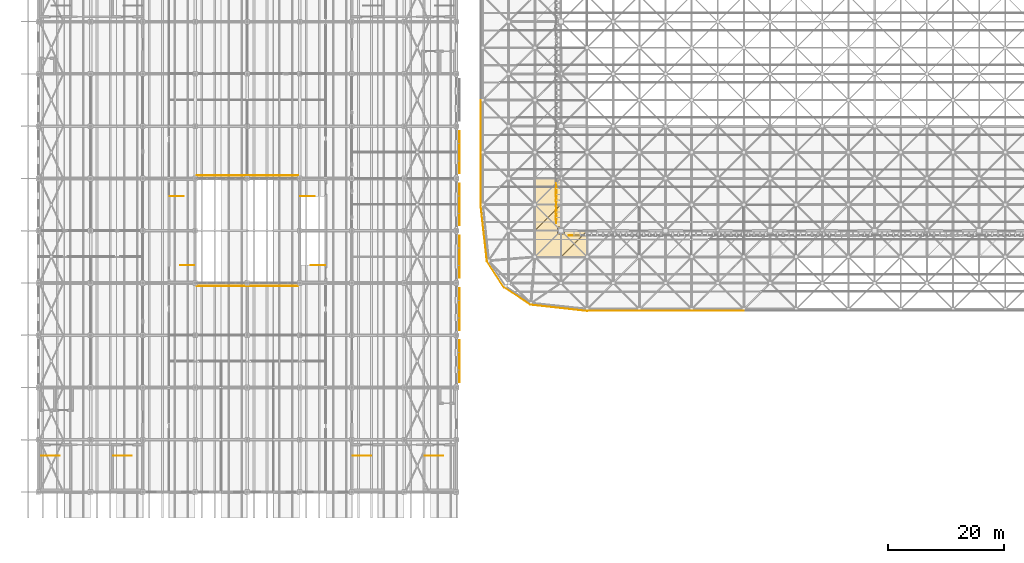
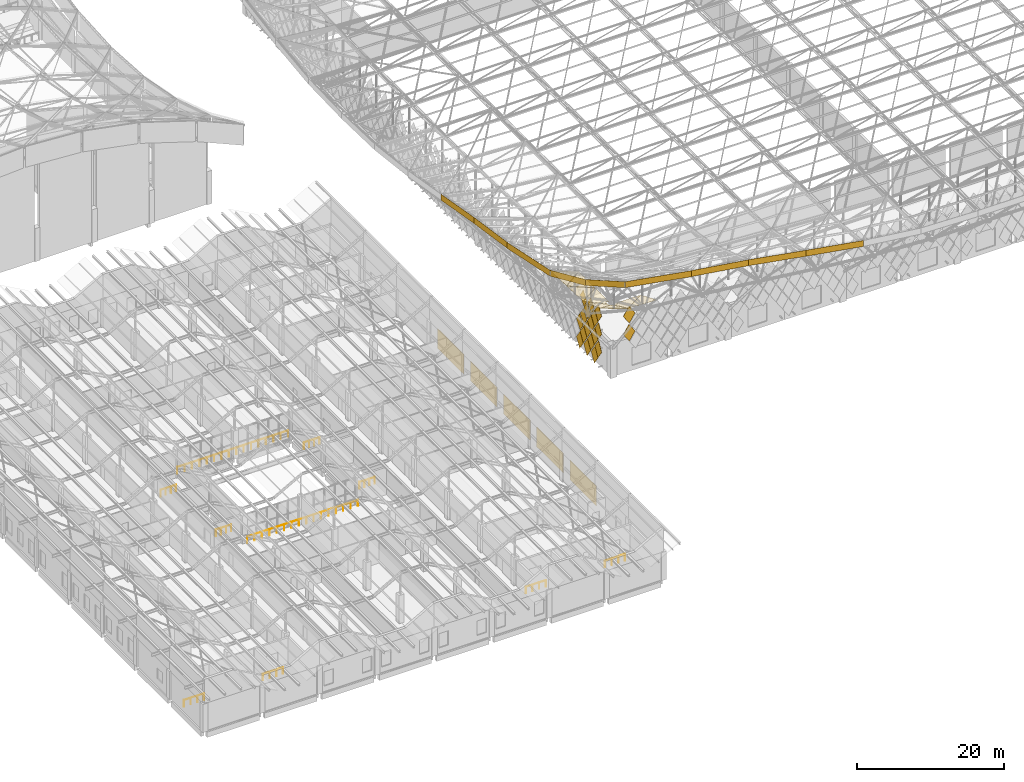
# One storey, part 406 of 437: 41 coverings, 10 railings.
"""IFC4 building model written with IfcOpenShell, lengths in metres."""

from ifc_helpers import new_model, si_unit, direction, frame, origin, origin_2d, place, context, subcontext, project, spatial, polyline, rectangle, circle, outline, extrude, material, layer, layer_set, constituent, constituent_set, material_profile, profile_set, type_object, element, save


model = new_model("IFC4")

# Units and contexts
model_context = context("Model", 3, precision=1e-05, world=origin(), true_north=direction((0.0, 1.0)))
body_context = subcontext(model_context, "Body", "Model", "MODEL_VIEW")
ifc_project = project(units=[si_unit("LENGTHUNIT", "METRE"), si_unit("AREAUNIT", "SQUARE_METRE"), si_unit("VOLUMEUNIT", "CUBIC_METRE"), si_unit("PLANEANGLEUNIT", "RADIAN"), si_unit("MASSUNIT", "GRAM", prefix="KILO")], contexts=[model_context])

# Site, building, storey
site_placement = place(None, origin())
site = spatial("IfcSite", under=ifc_project, at=site_placement, CompositionType="ELEMENT")
building_placement = place(site_placement, origin())
building = spatial("IfcBuilding", under=site, at=building_placement, Name="Opaline Strait Convention Centre", CompositionType="ELEMENT")
storey_placement = place(building_placement, frame((0.0, 0.0, 11.5)))
storey = spatial("IfcBuildingStorey", under=building, at=storey_placement, Name="L02", CompositionType="ELEMENT", Elevation=11.5)

# Railings
ifc_material_1 = material(Name="Steel Q235B", Category="steel")
ifc_constituent_1 = constituent(ifc_material_1, Name="Frame")
ifc_material_2 = material(Name="Safety glass, bonded interlayer", Category="glass")
ifc_constituent_2 = constituent(ifc_material_2, Name="Infill")
ifc_constituent_set_1 = constituent_set(constituents=[ifc_constituent_1, ifc_constituent_2], Name="Steel Q235B, Safety glass, bonded interlayer")
railing_type_1 = type_object("IfcRailingType", Name="Court guard 1100 Q235B and glass", PredefinedType="GUARDRAIL", material=ifc_constituent_set_1)
railing_1_placement = place(storey_placement, frame((36.300048828125, 44.5, 0.0)))
element("IfcRailing", 1, at=railing_1_placement, inside=storey, type_object=railing_type_1, Name="L02 court edge guard S", PredefinedType="GUARDRAIL", context=body_context, shape_type="SweptSolid", body=[
    extrude(circle(Radius=0.02392578125, at=origin_2d()), frame((0.0, 0.0, 1.076171875), z_axis=(1.0, 0.0, 0.0), x_axis=(0.0, 1.0, 0.0)), (0.0, 0.0, 1.0), 17.39990234375),
    extrude(circle(Radius=0.02099609375, at=origin_2d()), origin(), (0.0, 0.0, 1.0), 1.052001953125),
    extrude(circle(Radius=0.02099609375, at=origin_2d()), frame((1.159912109375, 0.0, 0.0)), (0.0, 0.0, 1.0), 1.052001953125),
    extrude(circle(Radius=0.02099609375, at=origin_2d()), frame((2.320068359375, 0.0, 0.0)), (0.0, 0.0, 1.0), 1.052001953125),
    extrude(circle(Radius=0.02099609375, at=origin_2d()), frame((3.47998046875, 0.0, 0.0)), (0.0, 0.0, 1.0), 1.052001953125),
    extrude(circle(Radius=0.02099609375, at=origin_2d()), frame((4.639892578125, 0.0, 0.0)), (0.0, 0.0, 1.0), 1.052001953125),
    extrude(circle(Radius=0.02099609375, at=origin_2d()), frame((5.800048828125, 0.0, 0.0)), (0.0, 0.0, 1.0), 1.052001953125),
    extrude(circle(Radius=0.02099609375, at=origin_2d()), frame((6.9599609375, 0.0, 0.0)), (0.0, 0.0, 1.0), 1.052001953125),
    extrude(circle(Radius=0.02099609375, at=origin_2d()), frame((8.119873046875, 0.0, 0.0)), (0.0, 0.0, 1.0), 1.052001953125),
    extrude(circle(Radius=0.02099609375, at=origin_2d()), frame((9.280029296875, 0.0, 0.0)), (0.0, 0.0, 1.0), 1.052001953125),
    extrude(circle(Radius=0.02099609375, at=origin_2d()), frame((10.43994140625, 0.0, 0.0)), (0.0, 0.0, 1.0), 1.052001953125),
    extrude(circle(Radius=0.02099609375, at=origin_2d()), frame((11.599853515625, 0.0, 0.0)), (0.0, 0.0, 1.0), 1.052001953125),
    extrude(circle(Radius=0.02099609375, at=origin_2d()), frame((12.760009765625, 0.0, 0.0)), (0.0, 0.0, 1.0), 1.052001953125),
    extrude(circle(Radius=0.02099609375, at=origin_2d()), frame((13.919921875, 0.0, 0.0)), (0.0, 0.0, 1.0), 1.052001953125),
    extrude(circle(Radius=0.02099609375, at=origin_2d()), frame((15.079833984375, 0.0, 0.0)), (0.0, 0.0, 1.0), 1.052001953125),
    extrude(circle(Radius=0.02099609375, at=origin_2d()), frame((16.239990234375, 0.0, 0.0)), (0.0, 0.0, 1.0), 1.052001953125),
    extrude(circle(Radius=0.02099609375, at=origin_2d()), frame((17.39990234375, 0.0, 0.0)), (0.0, 0.0, 1.0), 1.052001953125),
])
railing_2_placement = place(storey_placement, frame((36.300048828125, 63.5, 0.0)))
element("IfcRailing", 2, at=railing_2_placement, inside=storey, type_object=railing_type_1, Name="L02 court edge guard N", PredefinedType="GUARDRAIL", context=body_context, shape_type="SweptSolid", body=[
    extrude(circle(Radius=0.02392578125, at=origin_2d()), frame((0.0, 0.0, 1.076171875), z_axis=(1.0, 0.0, 0.0), x_axis=(0.0, 1.0, 0.0)), (0.0, 0.0, 1.0), 17.39990234375),
    extrude(circle(Radius=0.02099609375, at=origin_2d()), origin(), (0.0, 0.0, 1.0), 1.052001953125),
    extrude(circle(Radius=0.02099609375, at=origin_2d()), frame((1.159912109375, 0.0, 0.0)), (0.0, 0.0, 1.0), 1.052001953125),
    extrude(circle(Radius=0.02099609375, at=origin_2d()), frame((2.320068359375, 0.0, 0.0)), (0.0, 0.0, 1.0), 1.052001953125),
    extrude(circle(Radius=0.02099609375, at=origin_2d()), frame((3.47998046875, 0.0, 0.0)), (0.0, 0.0, 1.0), 1.052001953125),
    extrude(circle(Radius=0.02099609375, at=origin_2d()), frame((4.639892578125, 0.0, 0.0)), (0.0, 0.0, 1.0), 1.052001953125),
    extrude(circle(Radius=0.02099609375, at=origin_2d()), frame((5.800048828125, 0.0, 0.0)), (0.0, 0.0, 1.0), 1.052001953125),
    extrude(circle(Radius=0.02099609375, at=origin_2d()), frame((6.9599609375, 0.0, 0.0)), (0.0, 0.0, 1.0), 1.052001953125),
    extrude(circle(Radius=0.02099609375, at=origin_2d()), frame((8.119873046875, 0.0, 0.0)), (0.0, 0.0, 1.0), 1.052001953125),
    extrude(circle(Radius=0.02099609375, at=origin_2d()), frame((9.280029296875, 0.0, 0.0)), (0.0, 0.0, 1.0), 1.052001953125),
    extrude(circle(Radius=0.02099609375, at=origin_2d()), frame((10.43994140625, 0.0, 0.0)), (0.0, 0.0, 1.0), 1.052001953125),
    extrude(circle(Radius=0.02099609375, at=origin_2d()), frame((11.599853515625, 0.0, 0.0)), (0.0, 0.0, 1.0), 1.052001953125),
    extrude(circle(Radius=0.02099609375, at=origin_2d()), frame((12.760009765625, 0.0, 0.0)), (0.0, 0.0, 1.0), 1.052001953125),
    extrude(circle(Radius=0.02099609375, at=origin_2d()), frame((13.919921875, 0.0, 0.0)), (0.0, 0.0, 1.0), 1.052001953125),
    extrude(circle(Radius=0.02099609375, at=origin_2d()), frame((15.079833984375, 0.0, 0.0)), (0.0, 0.0, 1.0), 1.052001953125),
    extrude(circle(Radius=0.02099609375, at=origin_2d()), frame((16.239990234375, 0.0, 0.0)), (0.0, 0.0, 1.0), 1.052001953125),
    extrude(circle(Radius=0.02099609375, at=origin_2d()), frame((17.39990234375, 0.0, 0.0)), (0.0, 0.0, 1.0), 1.052001953125),
])

# Coverings
ifc_material_3 = material(Name="White ceramic-faced aluminium tile", Category="aluminium")
ifc_material_profile_1 = material_profile(ifc_material_3, outline(polyline([(0.927978515625, 0.0), (0.0, 1.39208984375), (-0.927978515625, 0.0), (0.0, -1.39208984375), (0.927978515625, 0.0)])), Name="Diamond tile 1856x2784")
ifc_profile_set_1 = profile_set([ifc_material_profile_1], Name="White ceramic-faced aluminium tile")
covering_type_1 = type_object("IfcCoveringType", Name="Diamond wall tile 1856x2784x30 pivot 1 deg", PredefinedType="CLADDING", material=ifc_profile_set_1)
for number, where, z_axis, x_axis, name in (
    (3, (98.199951171875, 58.25, 6.39208984375), (-0.999867829764, 0.0, 0.016258013492), (0.0, -1.0, 0.0), "Wall tile XT02 W"),
    (4, (98.199951171875, 57.25, 7.89208984375), (-0.999867829764, 0.0, 0.016258013492), (0.0, -1.0, 0.0), "Wall tile XT02 W"),
    (5, (98.199951171875, 58.25, 9.39208984375), (-0.999702690643, 0.0, -0.024382992455), (0.0, -1.0, 0.0), "Wall tile XT02 W"),
    (6, (98.199951171875, 56.25, 9.39208984375), (-0.999867829764, 0.0, 0.016258013492), (0.0, -1.0, 0.0), "Wall tile XT02 W"),
):
    element("IfcCovering", number, at=place(storey_placement, frame(where, z_axis=z_axis, x_axis=x_axis)), inside=storey, type_object=covering_type_1, Name=name, PredefinedType="CLADDING", context=body_context, shape_type="SweptSolid", body=[
        extrude(outline(polyline([(0.927978515625, 0.0), (0.0, 1.39208984375), (-0.927978515625, 0.0), (0.0, -1.39208984375), (0.927978515625, 0.0)])), origin(), (0.0, 0.0, 1.0), 0.030029296875),
    ])
ifc_material_profile_2 = material_profile(ifc_material_3, outline(polyline([(0.927978515625, 0.0), (0.0, 1.39208984375), (-0.927978515625, 0.0), (0.0, -1.39208984375), (0.927978515625, 0.0)])), Name="Diamond tile 1856x2784")
ifc_profile_set_2 = profile_set([ifc_material_profile_2], Name="White ceramic-faced aluminium tile")
covering_type_2 = type_object("IfcCoveringType", Name="Diamond wall tile 1856x2784x30 pivot 1.5 deg", PredefinedType="CLADDING", material=ifc_profile_set_2)
for number, where, z_axis, x_axis, name in (
    (7, (101.25, 53.199951171875, 6.89208984375), (0.0, -0.999702690643, 0.024382992455), (1.0, 0.0, 0.0), "Wall tile XT03 S"),
    (8, (98.199951171875, 61.25, 1.89208984375), (-0.999702690643, 0.0, 0.024382992455), (0.0, -1.0, 0.0), "Wall tile XT03 W"),
    (9, (98.199951171875, 60.25, 3.39208984375), (-0.999702690643, 0.0, 0.024382992455), (0.0, -1.0, 0.0), "Wall tile XT03 W"),
    (10, (98.199951171875, 58.25, 3.39208984375), (-0.999702690643, 0.0, 0.024382992455), (0.0, -1.0, 0.0), "Wall tile XT03 W"),
    (11, (98.199951171875, 61.25, 4.89208984375), (-0.999471633277, 0.0, -0.032503142546), (0.0, -1.0, 0.0), "Wall tile XT03 W"),
    (12, (98.199951171875, 59.25, 4.89208984375), (-0.999702690643, 0.0, 0.024382992455), (0.0, -1.0, 0.0), "Wall tile XT03 W"),
    (13, (98.199951171875, 57.25, 4.89208984375), (-0.999702690643, 0.0, 0.024382992455), (0.0, -1.0, 0.0), "Wall tile XT03 W"),
    (14, (98.199951171875, 60.25, 6.39208984375), (-0.999471633277, 0.0, -0.032503142546), (0.0, -1.0, 0.0), "Wall tile XT03 W"),
    (15, (98.199951171875, 56.25, 6.39208984375), (-0.999702690643, 0.0, 0.024382992455), (0.0, -1.0, 0.0), "Wall tile XT03 W"),
    (16, (98.199951171875, 59.25, 7.89208984375), (-0.999471633277, 0.0, -0.032503142546), (0.0, -1.0, 0.0), "Wall tile XT03 W"),
):
    element("IfcCovering", number, at=place(storey_placement, frame(where, z_axis=z_axis, x_axis=x_axis)), inside=storey, type_object=covering_type_2, Name=name, PredefinedType="CLADDING", context=body_context, shape_type="SweptSolid", body=[
        extrude(outline(polyline([(0.927978515625, 0.0), (0.0, 1.39208984375), (-0.927978515625, 0.0), (0.0, -1.39208984375), (0.927978515625, 0.0)])), origin(), (0.0, 0.0, 1.0), 0.030029296875),
    ])
ifc_material_profile_3 = material_profile(ifc_material_3, outline(polyline([(0.927978515625, 0.0), (0.0, 1.39208984375), (-0.927978515625, 0.0), (0.0, -1.39208984375), (0.927978515625, 0.0)])), Name="Diamond tile 1856x2784")
ifc_profile_set_3 = profile_set([ifc_material_profile_3], Name="White ceramic-faced aluminium tile")
covering_type_3 = type_object("IfcCoveringType", Name="Diamond wall tile 1856x2784x30 pivot 2 deg", PredefinedType="CLADDING", material=ifc_profile_set_3)
for number, where, z_axis, x_axis, name in (
    (17, (101.25, 53.199951171875, 9.89208984375), (0.0, -0.999471633277, 0.032503142546), (1.0, 0.0, 0.0), "Wall tile XT04 S"),
    (18, (98.199951171875, 59.25, 1.89208984375), (-0.999471633277, 0.0, 0.032503142546), (0.0, -1.0, 0.0), "Wall tile XT04 W"),
):
    element("IfcCovering", number, at=place(storey_placement, frame(where, z_axis=z_axis, x_axis=x_axis)), inside=storey, type_object=covering_type_3, Name=name, PredefinedType="CLADDING", context=body_context, shape_type="SweptSolid", body=[
        extrude(outline(polyline([(0.927978515625, 0.0), (0.0, 1.39208984375), (-0.927978515625, 0.0), (0.0, -1.39208984375), (0.927978515625, 0.0)])), origin(), (0.0, 0.0, 1.0), 0.030029296875),
    ])
ifc_material_profile_4 = material_profile(ifc_material_3, outline(polyline([(0.927978515625, 0.0), (0.0, 1.39208984375), (-0.927978515625, 0.0), (0.0, -1.39208984375), (0.927978515625, 0.0)])), Name="Diamond tile 1856x2784")
ifc_profile_set_4 = profile_set([ifc_material_profile_4], Name="White ceramic-faced aluminium tile")
covering_type_4 = type_object("IfcCoveringType", Name="Diamond wall tile 1856x2784x30 pivot 2.5 deg", PredefinedType="CLADDING", material=ifc_profile_set_4)
for number, where, z_axis, x_axis, name in (
    (19, (98.199951171875, 57.25, 1.89208984375), (-0.999174794796, 0.0, 0.040616861577), (0.0, -1.0, 0.0), "Wall tile XT05 W"),
    (20, (98.199951171875, 56.25, 3.39208984375), (-0.999174794796, 0.0, 0.040616861577), (0.0, -1.0, 0.0), "Wall tile XT05 W"),
    (21, (98.199951171875, 60.25, 9.39208984375), (-0.998812351125, 0.0, -0.048722553713), (0.0, -1.0, 0.0), "Wall tile XT05 W"),
):
    element("IfcCovering", number, at=place(storey_placement, frame(where, z_axis=z_axis, x_axis=x_axis)), inside=storey, type_object=covering_type_4, Name=name, PredefinedType="CLADDING", context=body_context, shape_type="SweptSolid", body=[
        extrude(outline(polyline([(0.927978515625, 0.0), (0.0, 1.39208984375), (-0.927978515625, 0.0), (0.0, -1.39208984375), (0.927978515625, 0.0)])), origin(), (0.0, 0.0, 1.0), 0.030029296875),
    ])
ifc_material_4 = material(Name="White aluminium fascia plate", Category="aluminium")
ifc_layer_1 = layer(ifc_material_4, 0.02001953125)
ifc_layer_set_1 = layer_set([ifc_layer_1], Name="White aluminium fascia plate")
covering_type_5 = type_object("IfcCoveringType", Name="Edge fascia plate 20 aluminium", PredefinedType="CLADDING", material=ifc_layer_set_1)
covering_1_placement = place(storey_placement, frame((91.483154296875, 42.737548828125, 24.8037109375), z_axis=(-0.546267780547, -0.837610596839, 0.0), x_axis=(0.837610596839, -0.546267780547, 0.0)))
element("IfcCovering", 22, at=covering_1_placement, inside=storey, type_object=covering_type_5, Name="Edge fascia plate S", PredefinedType="CLADDING", context=body_context, shape_type="SweptSolid", body=[
    extrude(outline(polyline([(-2.700439453125, 0.5751953125), (2.700439453125, 0.4248046875), (2.700439453125, -0.5751953125), (-2.700439453125, -0.4248046875), (-2.700439453125, 0.5751953125)])), origin(), (0.0, 0.0, 1.0), 0.02001953125),
])
covering_2_placement = place(storey_placement, frame((98.6064453125, 40.718505859375, 24.2626953125), z_axis=(-0.110431526075, -0.993883734674, 0.0), x_axis=(0.993883734674, -0.110431526075, 0.0)))
element("IfcCovering", 23, at=covering_2_placement, inside=storey, type_object=covering_type_5, Name="Edge fascia plate S", PredefinedType="CLADDING", context=body_context, shape_type="SweptSolid", body=[
    extrude(outline(polyline([(-4.9052734375, 0.9658203125), (4.9052734375, 0.0341796875), (4.9052734375, -0.9658203125), (-4.9052734375, -0.0341796875), (-4.9052734375, 0.9658203125)])), origin(), (0.0, 0.0, 1.0), 0.019775390625),
])
covering_3_placement = place(storey_placement, frame((107.991943359375, 40.199951171875, 23.124267578125), z_axis=(0.0, -1.0, 0.0), x_axis=(1.0, 0.0, 0.0)))
element("IfcCovering", 24, at=covering_3_placement, inside=storey, type_object=covering_type_5, Name="Edge fascia plate S", PredefinedType="CLADDING", context=body_context, shape_type="SweptSolid", body=[
    extrude(outline(polyline([(-4.508056640625, 1.17236328125), (4.508056640625, -0.17236328125), (4.508056640625, -1.17236328125), (-4.508056640625, 0.17236328125), (-4.508056640625, 1.17236328125)])), origin(), (0.0, 0.0, 1.0), 0.02001953125),
])
covering_4_placement = place(storey_placement, frame((117.0, 40.199951171875, 21.65966796875), z_axis=(0.0, -1.0, 0.0), x_axis=(1.0, 0.0, 0.0)))
element("IfcCovering", 25, at=covering_4_placement, inside=storey, type_object=covering_type_5, Name="Edge fascia plate S", PredefinedType="CLADDING", context=body_context, shape_type="SweptSolid", body=[
    extrude(outline(polyline([(-4.5, 1.29248046875), (4.5, -0.29248046875), (4.5, -1.29248046875), (-4.5, 0.29248046875), (-4.5, 1.29248046875)])), origin(), (0.0, 0.0, 1.0), 0.02001953125),
])
covering_5_placement = place(storey_placement, frame((126.0, 40.199951171875, 20.103515625), z_axis=(0.0, -1.0, 0.0), x_axis=(1.0, 0.0, 0.0)))
element("IfcCovering", 26, at=covering_5_placement, inside=storey, type_object=covering_type_5, Name="Edge fascia plate S", PredefinedType="CLADDING", context=body_context, shape_type="SweptSolid", body=[
    extrude(outline(polyline([(-4.5, 1.263671875), (4.5, -0.263671875), (4.5, -1.263671875), (-4.5, 0.263671875), (-4.5, 1.263671875)])), origin(), (0.0, 0.0, 1.0), 0.02001953125),
])
covering_6_placement = place(storey_placement, frame((85.199951171875, 72.0, 21.65966796875), z_axis=(-1.0, 0.0, 0.0), x_axis=(0.0, -1.0, 0.0)))
element("IfcCovering", 27, at=covering_6_placement, inside=storey, type_object=covering_type_5, Name="Edge fascia plate W", PredefinedType="CLADDING", context=body_context, shape_type="SweptSolid", body=[
    extrude(outline(polyline([(-4.5, -0.29248046875), (4.5, 1.29248046875), (4.5, 0.29248046875), (-4.5, -1.29248046875), (-4.5, -0.29248046875)])), origin(), (0.0, 0.0, 1.0), 0.02001953125),
])
covering_7_placement = place(storey_placement, frame((85.199951171875, 62.991943359375, 23.124267578125), z_axis=(-1.0, 0.0, 0.0), x_axis=(0.0, -1.0, 0.0)))
element("IfcCovering", 28, at=covering_7_placement, inside=storey, type_object=covering_type_5, Name="Edge fascia plate W", PredefinedType="CLADDING", context=body_context, shape_type="SweptSolid", body=[
    extrude(outline(polyline([(-4.508056640625, -0.17236328125), (4.508056640625, 1.17236328125), (4.508056640625, 0.17236328125), (-4.508056640625, -1.17236328125), (-4.508056640625, -0.17236328125)])), origin(), (0.0, 0.0, 1.0), 0.02001953125),
])
covering_8_placement = place(storey_placement, frame((85.718505859375, 53.6064453125, 24.2626953125), z_axis=(-0.993883734674, -0.110431526075, 0.0), x_axis=(0.110431526075, -0.993883734674, 0.0)))
element("IfcCovering", 29, at=covering_8_placement, inside=storey, type_object=covering_type_5, Name="Edge fascia plate W", PredefinedType="CLADDING", context=body_context, shape_type="SweptSolid", body=[
    extrude(outline(polyline([(-4.9052734375, 0.0341796875), (4.9052734375, 0.9658203125), (4.9052734375, -0.0341796875), (-4.9052734375, -0.9658203125), (-4.9052734375, 0.0341796875)])), origin(), (0.0, 0.0, 1.0), 0.019775390625),
])
covering_9_placement = place(storey_placement, frame((87.737548828125, 46.483154296875, 24.8037109375), z_axis=(-0.837610596839, -0.546267780547, 0.0), x_axis=(0.546267780547, -0.837610596839, 0.0)))
element("IfcCovering", 30, at=covering_9_placement, inside=storey, type_object=covering_type_5, Name="Edge fascia plate S", PredefinedType="CLADDING", context=body_context, shape_type="SweptSolid", body=[
    extrude(outline(polyline([(-2.700439453125, 0.4248046875), (2.700439453125, 0.5751953125), (2.700439453125, -0.4248046875), (-2.700439453125, -0.5751953125), (-2.700439453125, 0.4248046875)])), origin(), (0.0, 0.0, 1.0), 0.02001953125),
])
ifc_material_5 = material(Name="Perforated aluminium sheet", Category="aluminium")
ifc_layer_2 = layer(ifc_material_5, 0.030029296875)
ifc_layer_set_2 = layer_set([ifc_layer_2], Name="Perforated aluminium sheet")
covering_type_6 = type_object("IfcCoveringType", Name="Perforated aluminium screen 7200x3300", PredefinedType="CLADDING", material=ifc_layer_set_2)
for number, where, z_axis, x_axis, name in (
    (31, (81.514892578125, 31.5, 0.39990234375), (0.0, 0.0, 1.0), (1.0, 0.0, 0.0), "Perforated screen L02 bay 3"),
    (32, (81.514892578125, 40.5, 0.39990234375), (0.0, 0.0, 1.0), (1.0, 0.0, 0.0), "Perforated screen L02 bay 4"),
    (33, (81.514892578125, 49.5, 0.39990234375), (0.0, 0.0, 1.0), (1.0, 0.0, 0.0), "Perforated screen L02 bay 5"),
    (34, (81.514892578125, 58.5, 0.39990234375), (0.0, 0.0, 1.0), (1.0, 0.0, 0.0), "Perforated screen L02 bay 6"),
    (35, (81.514892578125, 67.5, 0.39990234375), (0.0, 0.0, 1.0), (1.0, 0.0, 0.0), "Perforated screen L02 bay 7"),
):
    element("IfcCovering", number, at=place(storey_placement, frame(where, z_axis=z_axis, x_axis=x_axis)), inside=storey, type_object=covering_type_6, Name=name, PredefinedType="CLADDING", context=body_context, shape_type="SweptSolid", body=[
        extrude(rectangle(XDim=0.030029296875, YDim=7.199951171875, at=origin_2d()), origin(), (0.0, 0.0, 1.0), 3.300048828125),
    ])
ifc_material_6 = material(Name="White aluminium soffit panel", Category="aluminium")
ifc_layer_3 = layer(ifc_material_6, 0.011962890625)
ifc_layer_set_3 = layer_set([ifc_layer_3], Name="White aluminium soffit panel")
covering_type_7 = type_object("IfcCoveringType", Name="Soffit lining panel 12 aluminium", PredefinedType="CEILING", material=ifc_layer_set_3)
covering_10_placement = place(storey_placement, frame((98.97998046875, 53.39990234375, 12.123046875), z_axis=(0.309462937548, 0.398682623225, 0.86329882209), x_axis=(2.018793e-06, -0.907864800781, 0.419263048096)))
element("IfcCovering", 36, at=covering_10_placement, inside=storey, type_object=covering_type_7, Name="Soffit lining panel", PredefinedType="CEILING", context=body_context, shape_type="SweptSolid", body=[
    extrude(outline(polyline([(0.0, 0.0), (4.273622784176915, 0.0), (4.939664778518338, -4.6604237870830225), (0.08290979162222308, -0.5802320714747092), (0.0, 0.0)])), origin(), (0.0, 0.0, -1.0), 0.011962890625),
])
covering_11_placement = place(storey_placement, frame((98.39990234375, 53.97998046875, 12.123046875), z_axis=(0.398682623225, 0.309462937548, 0.86329882209), x_axis=(1.896339e-05, -0.941349648695, 0.337432717058)))
element("IfcCovering", 37, at=covering_11_placement, inside=storey, type_object=covering_type_7, Name="Soffit lining panel", PredefinedType="CEILING", context=body_context, shape_type="SweptSolid", body=[
    extrude(outline(polyline([(0.0, 0.0), (0.5861256608566737, -1.3877787807814457e-17), (5.312297572586867, -4.230760274422503), (0.6045208360101753, -4.2306508081222685), (0.0, 0.0)])), origin(), (0.0, 0.0, -1.0), 0.011962890625),
])
covering_12_placement = place(storey_placement, frame((94.54833984375, 54.02001953125, 13.9326171875), z_axis=(0.419273906672, -1.5018569e-05, 0.907859785957), x_axis=(0.672177307874, 0.672174183204, -0.310418321324)))
element("IfcCovering", 38, at=covering_12_placement, inside=storey, type_object=covering_type_7, Name="Soffit lining panel", PredefinedType="CEILING", context=body_context, shape_type="SweptSolid", body=[
    extrude(outline(polyline([(0.0, 0.0), (6.592994397876641, 1.1102230246251565e-16), (4.00407352037951, -2.851670103311338), (3.531021229852116, -2.422204245454175), (3.1411076899856623, -2.851690057159787), (0.0, 0.0)])), origin(), (0.0, 0.0, -1.0), 0.011962890625),
])
covering_13_placement = place(storey_placement, frame((94.52001953125, 54.04833984375, 13.95703125), z_axis=(0.386820205724, 0.038676944858, 0.921343704803), x_axis=(0.0, 0.999120051103, -0.041941906068)))
element("IfcCovering", 39, at=covering_13_placement, inside=storey, type_object=covering_type_7, Name="Soffit lining panel", PredefinedType="CEILING", context=body_context, shape_type="SweptSolid", body=[
    extrude(outline(polyline([(0.0, 0.0), (4.435543676767409, 0.0), (4.5135806069777775, -4.8057429433086565), (0.0, 0.0)])), origin(), (0.0, 0.0, -1.0), 0.011962890625),
])
covering_14_placement = place(storey_placement, frame((94.54833984375, 58.52001953125, 13.759033203125), z_axis=(0.387153036095, 0.0, 0.92201546985), x_axis=(0.677858640096, 0.677858640096, -0.284631916858)))
element("IfcCovering", 40, at=covering_14_placement, inside=storey, type_object=covering_type_7, Name="Soffit lining panel", PredefinedType="CEILING", context=body_context, shape_type="SweptSolid", body=[
    extrude(outline(polyline([(0.0, 0.0), (6.537706186606148, -1.6653345369377348e-16), (3.5336802991494944, -3.2581079013195144), (0.0, 0.0)])), origin(), (0.0, 0.0, -1.0), 0.011962890625),
])
covering_15_placement = place(storey_placement, frame((94.52001953125, 58.54833984375, 13.781982421875), z_axis=(0.353290350991, 0.039185826717, 0.934692676168), x_axis=(0.0, 0.999122356127, -0.041886960831)))
element("IfcCovering", 41, at=covering_15_placement, inside=storey, type_object=covering_type_7, Name="Soffit lining panel", PredefinedType="CEILING", context=body_context, shape_type="SweptSolid", body=[
    extrude(outline(polyline([(0.0, 0.0), (4.4355334437514236, 0.0), (4.505696148405861, -4.73711984233341), (0.0, 0.0)])), origin(), (0.0, 0.0, -1.0), 0.011962890625),
])
covering_16_placement = place(storey_placement, frame((99.04833984375, 49.52001953125, 13.95703125), z_axis=(0.038676944858, 0.386820205724, 0.921343704803), x_axis=(0.672174183297, 0.672174183297, -0.310425086965)))
element("IfcCovering", 42, at=covering_16_placement, inside=storey, type_object=covering_type_7, Name="Soffit lining panel", PredefinedType="CEILING", context=body_context, shape_type="SweptSolid", body=[
    extrude(outline(polyline([(0.0, 0.0), (6.5929943980597185, -5.551115123125783e-17), (3.0365843973342552, -3.233141337210223), (0.0, 0.0)])), origin(), (0.0, 0.0, -1.0), 0.011962890625),
])
covering_17_placement = place(storey_placement, frame((99.02001953125, 49.54833984375, 13.9326171875), z_axis=(-1.5018569e-05, 0.419273906672, 0.907859785957), x_axis=(-1.74e-10, 0.90785978606, -0.41927390672)))
element("IfcCovering", 43, at=covering_17_placement, inside=storey, type_object=covering_type_7, Name="Soffit lining panel", PredefinedType="CEILING", context=body_context, shape_type="SweptSolid", body=[
    extrude(outline(polyline([(0.0, 0.0), (4.242486735652929, 0.0), (4.242486735552035, -0.5800781249345796), (4.881407225627446, -0.5800781260452981), (4.881407224957533, -4.431640625610924), (0.0, 0.0)])), origin(), (0.0, 0.0, -1.0), 0.011962890625),
])

# Railings
ifc_constituent_3 = constituent(ifc_material_1, Name="Frame")
ifc_constituent_4 = constituent(ifc_material_2, Name="Infill")
ifc_constituent_set_2 = constituent_set(constituents=[ifc_constituent_3, ifc_constituent_4], Name="Steel Q235B, Safety glass, bonded interlayer")
railing_type_2 = type_object("IfcRailingType", Name="Stair guard 1100 Q235B and glass", PredefinedType="GUARDRAIL", material=ifc_constituent_set_2)
railing_3_placement = place(storey_placement, frame((9.5, 15.25, 0.0)))
element("IfcRailing", 44, at=railing_3_placement, inside=storey, type_object=railing_type_2, Name="L02 SWA top well guard 1", PredefinedType="GUARDRAIL", context=body_context, shape_type="SweptSolid", body=[
    extrude(circle(Radius=0.02392578125, at=origin_2d()), frame((0.0, 0.0, 1.076171875), z_axis=(1.0, 0.0, 0.0), x_axis=(0.0, 1.0, 0.0)), (0.0, 0.0, 1.0), 3.14990234375),
    extrude(circle(Radius=0.02099609375, at=origin_2d()), origin(), (0.0, 0.0, 1.0), 1.052001953125),
    extrude(circle(Radius=0.02099609375, at=origin_2d()), frame((1.050048828125, 0.0, 0.0)), (0.0, 0.0, 1.0), 1.052001953125),
    extrude(circle(Radius=0.02099609375, at=origin_2d()), frame((2.099853515625, 0.0, 0.0)), (0.0, 0.0, 1.0), 1.052001953125),
    extrude(circle(Radius=0.02099609375, at=origin_2d()), frame((3.14990234375, 0.0, 0.0)), (0.0, 0.0, 1.0), 1.052001953125),
])
railing_4_placement = place(storey_placement, frame((21.89990234375, 15.25, 0.0)))
element("IfcRailing", 45, at=railing_4_placement, inside=storey, type_object=railing_type_2, Name="L02 SWB top well guard 1", PredefinedType="GUARDRAIL", context=body_context, shape_type="SweptSolid", body=[
    extrude(circle(Radius=0.02392578125, at=origin_2d()), frame((0.0, 0.0, 1.076171875), z_axis=(1.0, 0.0, 0.0), x_axis=(0.0, 1.0, 0.0)), (0.0, 0.0, 1.0), 3.150146484375),
    extrude(circle(Radius=0.02099609375, at=origin_2d()), origin(), (0.0, 0.0, 1.0), 1.052001953125),
    extrude(circle(Radius=0.02099609375, at=origin_2d()), frame((1.050048828125, 0.0, 0.0)), (0.0, 0.0, 1.0), 1.052001953125),
    extrude(circle(Radius=0.02099609375, at=origin_2d()), frame((2.10009765625, 0.0, 0.0)), (0.0, 0.0, 1.0), 1.052001953125),
    extrude(circle(Radius=0.02099609375, at=origin_2d()), frame((3.150146484375, 0.0, 0.0)), (0.0, 0.0, 1.0), 1.052001953125),
])
railing_5_placement = place(storey_placement, frame((75.550048828125, 15.25, 0.0)))
element("IfcRailing", 46, at=railing_5_placement, inside=storey, type_object=railing_type_2, Name="L02 SEA top well guard 1", PredefinedType="GUARDRAIL", context=body_context, shape_type="SweptSolid", body=[
    extrude(circle(Radius=0.02392578125, at=origin_2d()), frame((0.0, 0.0, 1.076171875), z_axis=(1.0, 0.0, 0.0), x_axis=(0.0, 1.0, 0.0)), (0.0, 0.0, 1.0), 3.14990234375),
    extrude(circle(Radius=0.02099609375, at=origin_2d()), origin(), (0.0, 0.0, 1.0), 1.052001953125),
    extrude(circle(Radius=0.02099609375, at=origin_2d()), frame((1.050048828125, 0.0, 0.0)), (0.0, 0.0, 1.0), 1.052001953125),
    extrude(circle(Radius=0.02099609375, at=origin_2d()), frame((2.099853515625, 0.0, 0.0)), (0.0, 0.0, 1.0), 1.052001953125),
    extrude(circle(Radius=0.02099609375, at=origin_2d()), frame((3.14990234375, 0.0, 0.0)), (0.0, 0.0, 1.0), 1.052001953125),
])
railing_6_placement = place(storey_placement, frame((63.14990234375, 15.25, 0.0)))
element("IfcRailing", 47, at=railing_6_placement, inside=storey, type_object=railing_type_2, Name="L02 SEB top well guard 1", PredefinedType="GUARDRAIL", context=body_context, shape_type="SweptSolid", body=[
    extrude(circle(Radius=0.02392578125, at=origin_2d()), frame((0.0, 0.0, 1.076171875), z_axis=(1.0, 0.0, 0.0), x_axis=(0.0, 1.0, 0.0)), (0.0, 0.0, 1.0), 3.150146484375),
    extrude(circle(Radius=0.02099609375, at=origin_2d()), origin(), (0.0, 0.0, 1.0), 1.052001953125),
    extrude(circle(Radius=0.02099609375, at=origin_2d()), frame((1.050048828125, 0.0, 0.0)), (0.0, 0.0, 1.0), 1.052001953125),
    extrude(circle(Radius=0.02099609375, at=origin_2d()), frame((2.10009765625, 0.0, 0.0)), (0.0, 0.0, 1.0), 1.052001953125),
    extrude(circle(Radius=0.02099609375, at=origin_2d()), frame((3.150146484375, 0.0, 0.0)), (0.0, 0.0, 1.0), 1.052001953125),
])
railing_7_placement = place(storey_placement, frame((58.35009765625, 48.050048828125, 0.0)))
element("IfcRailing", 48, at=railing_7_placement, inside=storey, type_object=railing_type_2, Name="L02 ME1 top well guard 1", PredefinedType="GUARDRAIL", context=body_context, shape_type="SweptSolid", body=[
    extrude(circle(Radius=0.02392578125, at=origin_2d()), frame((0.0, 0.0, 1.076171875), z_axis=(-1.0, 0.0, 0.0), x_axis=(0.0, -1.0, 0.0)), (0.0, 0.0, 1.0), 2.400146484375),
    extrude(circle(Radius=0.02099609375, at=origin_2d()), origin(), (0.0, 0.0, 1.0), 1.052001953125),
    extrude(circle(Radius=0.02099609375, at=origin_2d()), frame((-0.800048828125, 0.0, 0.0)), (0.0, 0.0, 1.0), 1.052001953125),
    extrude(circle(Radius=0.02099609375, at=origin_2d()), frame((-1.60009765625, 0.0, 0.0)), (0.0, 0.0, 1.0), 1.052001953125),
    extrude(circle(Radius=0.02099609375, at=origin_2d()), frame((-2.400146484375, 0.0, 0.0)), (0.0, 0.0, 1.0), 1.052001953125),
])
railing_8_placement = place(storey_placement, frame((54.14990234375, 59.949951171875, 0.0)))
element("IfcRailing", 49, at=railing_8_placement, inside=storey, type_object=railing_type_2, Name="L02 ME2 top well guard 1", PredefinedType="GUARDRAIL", context=body_context, shape_type="SweptSolid", body=[
    extrude(circle(Radius=0.02392578125, at=origin_2d()), frame((0.0, 0.0, 1.076171875), z_axis=(1.0, 0.0, 0.0), x_axis=(0.0, 1.0, 0.0)), (0.0, 0.0, 1.0), 2.400146484375),
    extrude(circle(Radius=0.02099609375, at=origin_2d()), origin(), (0.0, 0.0, 1.0), 1.052001953125),
    extrude(circle(Radius=0.02099609375, at=origin_2d()), frame((0.800048828125, 0.0, 0.0)), (0.0, 0.0, 1.0), 1.052001953125),
    extrude(circle(Radius=0.02099609375, at=origin_2d()), frame((1.60009765625, 0.0, 0.0)), (0.0, 0.0, 1.0), 1.052001953125),
    extrude(circle(Radius=0.02099609375, at=origin_2d()), frame((2.400146484375, 0.0, 0.0)), (0.0, 0.0, 1.0), 1.052001953125),
])
railing_9_placement = place(storey_placement, frame((35.85009765625, 48.050048828125, 0.0)))
element("IfcRailing", 50, at=railing_9_placement, inside=storey, type_object=railing_type_2, Name="L02 MW1 top well guard 1", PredefinedType="GUARDRAIL", context=body_context, shape_type="SweptSolid", body=[
    extrude(circle(Radius=0.02392578125, at=origin_2d()), frame((0.0, 0.0, 1.076171875), z_axis=(-1.0, 0.0, 0.0), x_axis=(0.0, -1.0, 0.0)), (0.0, 0.0, 1.0), 2.400146484375),
    extrude(circle(Radius=0.02099609375, at=origin_2d()), origin(), (0.0, 0.0, 1.0), 1.052001953125),
    extrude(circle(Radius=0.02099609375, at=origin_2d()), frame((-0.800048828125, 0.0, 0.0)), (0.0, 0.0, 1.0), 1.052001953125),
    extrude(circle(Radius=0.02099609375, at=origin_2d()), frame((-1.60009765625, 0.0, 0.0)), (0.0, 0.0, 1.0), 1.052001953125),
    extrude(circle(Radius=0.02099609375, at=origin_2d()), frame((-2.400146484375, 0.0, 0.0)), (0.0, 0.0, 1.0), 1.052001953125),
])
railing_10_placement = place(storey_placement, frame((31.64990234375, 59.949951171875, 0.0)))
element("IfcRailing", 51, at=railing_10_placement, inside=storey, type_object=railing_type_2, Name="L02 MW2 top well guard 1", PredefinedType="GUARDRAIL", context=body_context, shape_type="SweptSolid", body=[
    extrude(circle(Radius=0.02392578125, at=origin_2d()), frame((0.0, 0.0, 1.076171875), z_axis=(1.0, 0.0, 0.0), x_axis=(0.0, 1.0, 0.0)), (0.0, 0.0, 1.0), 2.400146484375),
    extrude(circle(Radius=0.02099609375, at=origin_2d()), origin(), (0.0, 0.0, 1.0), 1.052001953125),
    extrude(circle(Radius=0.02099609375, at=origin_2d()), frame((0.800048828125, 0.0, 0.0)), (0.0, 0.0, 1.0), 1.052001953125),
    extrude(circle(Radius=0.02099609375, at=origin_2d()), frame((1.60009765625, 0.0, 0.0)), (0.0, 0.0, 1.0), 1.052001953125),
    extrude(circle(Radius=0.02099609375, at=origin_2d()), frame((2.400146484375, 0.0, 0.0)), (0.0, 0.0, 1.0), 1.052001953125),
])

save(model, "model.ifc")
